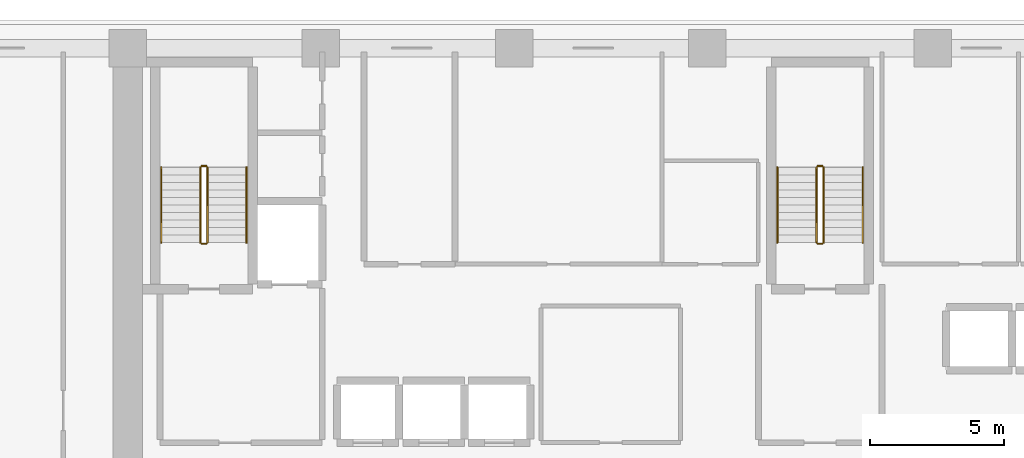
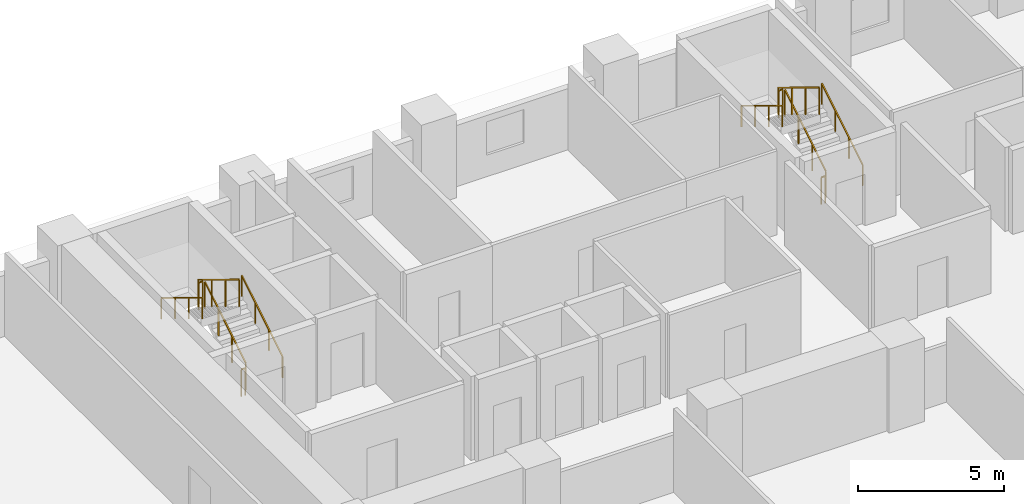
# One storey, part 13 of 15: 12 railings.
"""IFC4 building model written with IfcOpenShell, lengths in metres."""

from ifc_helpers import new_model, si_unit, direction, frame, origin, origin_2d, place, context, subcontext, project, spatial, rectangle, extrude, material, type_object, element, save


model = new_model("IFC4")

# Units and contexts
model_context = context("Model", 3, precision=1e-05, world=origin(), true_north=direction((0.0, 1.0)))
body_context = subcontext(model_context, "Body", "Model", "MODEL_VIEW")
ifc_project = project(units=[si_unit("LENGTHUNIT", "METRE"), si_unit("AREAUNIT", "SQUARE_METRE"), si_unit("VOLUMEUNIT", "CUBIC_METRE"), si_unit("PLANEANGLEUNIT", "RADIAN"), si_unit("MASSUNIT", "GRAM", prefix="KILO")], contexts=[model_context])

# Site, building, storey
site_placement = place(None, origin())
site = spatial("IfcSite", under=ifc_project, at=site_placement, CompositionType="ELEMENT")
building_placement = place(site_placement, origin())
building = spatial("IfcBuilding", under=site, at=building_placement, Name="Kaelvorn Grand Hotel", CompositionType="ELEMENT")
storey_placement = place(building_placement, frame((0.0, 0.0, 53.89990234375)))
storey = spatial("IfcBuildingStorey", under=building, at=storey_placement, Name="L11", CompositionType="ELEMENT", Elevation=53.89990234375)

# Railings
ifc_material = material(Name="Stainless Steel", Category="steel")
railing_type_1 = type_object("IfcRailingType", Name="RL-HANDRAIL-900", PredefinedType="HANDRAIL", material=ifc_material)
railing_1_placement = place(storey_placement, frame((20.6298828125, 41.760009765625, 0.170654296875)))
element("IfcRailing", 1, at=railing_1_placement, inside=storey, type_object=railing_type_1, Name="L11 ST1 stair handrail 1", PredefinedType="HANDRAIL", context=body_context, shape_type="SweptSolid", body=[
    extrude(rectangle(XDim=0.048095703125, YDim=0.048095703125, at=origin_2d()), frame((0.0, 0.0, 0.8759765625), z_axis=(0.0, 0.854202870247, 0.519939858505), x_axis=(-1.0, 0.0, 0.0)), (0.0, 0.0, 1.0), 3.278076171875),
    extrude(rectangle(XDim=0.0419921875, YDim=0.0419921875, at=origin_2d()), origin(), (0.0, 0.0, 1.0), 0.851806640625),
    extrude(rectangle(XDim=0.0419921875, YDim=0.0419921875, at=origin_2d()), frame((0.0, 0.933349609375, 0.568115234375)), (0.0, 0.0, 1.0), 0.851806640625),
    extrude(rectangle(XDim=0.0419921875, YDim=0.0419921875, at=origin_2d()), frame((0.0, 1.86669921875, 1.13623046875)), (0.0, 0.0, 1.0), 0.851806640625),
    extrude(rectangle(XDim=0.0419921875, YDim=0.0419921875, at=origin_2d()), frame((0.0, 2.800048828125, 1.704345703125)), (0.0, 0.0, 1.0), 0.851806640625),
])
railing_2_placement = place(storey_placement, frame((17.449951171875, 44.56005859375, 2.045654296875)))
element("IfcRailing", 2, at=railing_2_placement, inside=storey, type_object=railing_type_1, Name="L11 ST1 stair handrail 2", PredefinedType="HANDRAIL", context=body_context, shape_type="SweptSolid", body=[
    extrude(rectangle(XDim=0.048095703125, YDim=0.048095703125, at=origin_2d()), frame((0.0, 0.0, 0.8759765625), z_axis=(0.0, -0.854202870247, 0.519939858505), x_axis=(1.0, 0.0, 0.0)), (0.0, 0.0, 1.0), 3.278076171875),
    extrude(rectangle(XDim=0.0419921875, YDim=0.0419921875, at=origin_2d()), origin(), (0.0, 0.0, 1.0), 0.851806640625),
    extrude(rectangle(XDim=0.0419921875, YDim=0.0419921875, at=origin_2d()), frame((0.0, -0.933349609375, 0.568115234375)), (0.0, 0.0, 1.0), 0.851806640625),
    extrude(rectangle(XDim=0.0419921875, YDim=0.0419921875, at=origin_2d()), frame((0.0, -1.86669921875, 1.13623046875)), (0.0, 0.0, 1.0), 0.851806640625),
    extrude(rectangle(XDim=0.0419921875, YDim=0.0419921875, at=origin_2d()), frame((0.0, -2.800048828125, 1.704345703125)), (0.0, 0.0, 1.0), 0.851806640625),
])
railing_3_placement = place(storey_placement, frame((43.590087890625, 41.760009765625, 0.170654296875)))
element("IfcRailing", 3, at=railing_3_placement, inside=storey, type_object=railing_type_1, Name="L11 ST2 stair handrail 1", PredefinedType="HANDRAIL", context=body_context, shape_type="SweptSolid", body=[
    extrude(rectangle(XDim=0.048095703125, YDim=0.048095703125, at=origin_2d()), frame((0.0, 0.0, 0.8759765625), z_axis=(0.0, 0.854202870247, 0.519939858505), x_axis=(-1.0, 0.0, 0.0)), (0.0, 0.0, 1.0), 3.278076171875),
    extrude(rectangle(XDim=0.0419921875, YDim=0.0419921875, at=origin_2d()), origin(), (0.0, 0.0, 1.0), 0.851806640625),
    extrude(rectangle(XDim=0.0419921875, YDim=0.0419921875, at=origin_2d()), frame((0.0, 0.933349609375, 0.568115234375)), (0.0, 0.0, 1.0), 0.851806640625),
    extrude(rectangle(XDim=0.0419921875, YDim=0.0419921875, at=origin_2d()), frame((0.0, 1.86669921875, 1.13623046875)), (0.0, 0.0, 1.0), 0.851806640625),
    extrude(rectangle(XDim=0.0419921875, YDim=0.0419921875, at=origin_2d()), frame((0.0, 2.800048828125, 1.704345703125)), (0.0, 0.0, 1.0), 0.851806640625),
])
railing_4_placement = place(storey_placement, frame((40.409912109375, 44.56005859375, 2.045654296875)))
element("IfcRailing", 4, at=railing_4_placement, inside=storey, type_object=railing_type_1, Name="L11 ST2 stair handrail 2", PredefinedType="HANDRAIL", context=body_context, shape_type="SweptSolid", body=[
    extrude(rectangle(XDim=0.048095703125, YDim=0.048095703125, at=origin_2d()), frame((0.0, 0.0, 0.8759765625), z_axis=(0.0, -0.854202870247, 0.519939858505), x_axis=(1.0, 0.0, 0.0)), (0.0, 0.0, 1.0), 3.278076171875),
    extrude(rectangle(XDim=0.0419921875, YDim=0.0419921875, at=origin_2d()), origin(), (0.0, 0.0, 1.0), 0.851806640625),
    extrude(rectangle(XDim=0.0419921875, YDim=0.0419921875, at=origin_2d()), frame((0.0, -0.933349609375, 0.568115234375)), (0.0, 0.0, 1.0), 0.851806640625),
    extrude(rectangle(XDim=0.0419921875, YDim=0.0419921875, at=origin_2d()), frame((0.0, -1.86669921875, 1.13623046875)), (0.0, 0.0, 1.0), 0.851806640625),
    extrude(rectangle(XDim=0.0419921875, YDim=0.0419921875, at=origin_2d()), frame((0.0, -2.800048828125, 1.704345703125)), (0.0, 0.0, 1.0), 0.851806640625),
])
railing_type_2 = type_object("IfcRailingType", Name="RL-STAIR-GUARD-1150", PredefinedType="BALUSTRADE", material=ifc_material)
railing_5_placement = place(storey_placement, frame((19.169921875, 41.760009765625, 0.170654296875)))
element("IfcRailing", 5, at=railing_5_placement, inside=storey, type_object=railing_type_2, Name="L11 ST1 stair guard 1", PredefinedType="BALUSTRADE", context=body_context, shape_type="SweptSolid", body=[
    extrude(rectangle(XDim=0.048095703125, YDim=0.048095703125, at=origin_2d()), frame((0.0, 0.0, 1.1259765625), z_axis=(0.0, 0.854202870247, 0.519939858505), x_axis=(-1.0, 0.0, 0.0)), (0.0, 0.0, 1.0), 3.278076171875),
    extrude(rectangle(XDim=0.0419921875, YDim=0.0419921875, at=origin_2d()), origin(), (0.0, 0.0, 1.0), 1.101806640625),
    extrude(rectangle(XDim=0.0419921875, YDim=0.0419921875, at=origin_2d()), frame((0.0, 0.933349609375, 0.568115234375)), (0.0, 0.0, 1.0), 1.101806640625),
    extrude(rectangle(XDim=0.0419921875, YDim=0.0419921875, at=origin_2d()), frame((0.0, 1.86669921875, 1.13623046875)), (0.0, 0.0, 1.0), 1.101806640625),
    extrude(rectangle(XDim=0.0419921875, YDim=0.0419921875, at=origin_2d()), frame((0.0, 2.800048828125, 1.704345703125)), (0.0, 0.0, 1.0), 1.101806640625),
])
railing_6_placement = place(storey_placement, frame((19.1201171875, 44.610107421875, 1.875)))
element("IfcRailing", 6, at=railing_6_placement, inside=storey, type_object=railing_type_2, Name="L11 ST1 stair guard 2", PredefinedType="BALUSTRADE", context=body_context, shape_type="SweptSolid", body=[
    extrude(rectangle(XDim=0.048095703125, YDim=0.048095703125, at=origin_2d()), frame((0.0, 0.0, 1.1259765625), z_axis=(-1.0, 0.0, 0.0), x_axis=(0.0, -1.0, 0.0)), (0.0, 0.0, 1.0), 0.16015625),
    extrude(rectangle(XDim=0.0419921875, YDim=0.0419921875, at=origin_2d()), origin(), (0.0, 0.0, 1.0), 1.101806640625),
    extrude(rectangle(XDim=0.0419921875, YDim=0.0419921875, at=origin_2d()), frame((-0.16015625, 0.0, 0.0)), (0.0, 0.0, 1.0), 1.101806640625),
])
railing_7_placement = place(storey_placement, frame((18.909912109375, 44.56005859375, 2.045654296875)))
element("IfcRailing", 7, at=railing_7_placement, inside=storey, type_object=railing_type_2, Name="L11 ST1 stair guard 3", PredefinedType="BALUSTRADE", context=body_context, shape_type="SweptSolid", body=[
    extrude(rectangle(XDim=0.048095703125, YDim=0.048095703125, at=origin_2d()), frame((0.0, 0.0, 1.1259765625), z_axis=(0.0, -0.854202870247, 0.519939858505), x_axis=(1.0, 0.0, 0.0)), (0.0, 0.0, 1.0), 3.278076171875),
    extrude(rectangle(XDim=0.0419921875, YDim=0.0419921875, at=origin_2d()), origin(), (0.0, 0.0, 1.0), 1.101806640625),
    extrude(rectangle(XDim=0.0419921875, YDim=0.0419921875, at=origin_2d()), frame((0.0, -0.933349609375, 0.568115234375)), (0.0, 0.0, 1.0), 1.101806640625),
    extrude(rectangle(XDim=0.0419921875, YDim=0.0419921875, at=origin_2d()), frame((0.0, -1.86669921875, 1.13623046875)), (0.0, 0.0, 1.0), 1.101806640625),
    extrude(rectangle(XDim=0.0419921875, YDim=0.0419921875, at=origin_2d()), frame((0.0, -2.800048828125, 1.704345703125)), (0.0, 0.0, 1.0), 1.101806640625),
])
railing_8_placement = place(storey_placement, frame((19.1201171875, 41.7099609375, 0.0)))
element("IfcRailing", 8, at=railing_8_placement, inside=storey, type_object=railing_type_2, Name="L11 ST1 stair guard 4", PredefinedType="BALUSTRADE", context=body_context, shape_type="SweptSolid", body=[
    extrude(rectangle(XDim=0.048095703125, YDim=0.048095703125, at=origin_2d()), frame((0.0, 0.0, 1.1259765625), z_axis=(-1.0, 0.0, 0.0), x_axis=(0.0, -1.0, 0.0)), (0.0, 0.0, 1.0), 0.16015625),
    extrude(rectangle(XDim=0.0419921875, YDim=0.0419921875, at=origin_2d()), origin(), (0.0, 0.0, 1.0), 1.101806640625),
    extrude(rectangle(XDim=0.0419921875, YDim=0.0419921875, at=origin_2d()), frame((-0.16015625, 0.0, 0.0)), (0.0, 0.0, 1.0), 1.101806640625),
])
railing_9_placement = place(storey_placement, frame((42.1298828125, 41.760009765625, 0.170654296875)))
element("IfcRailing", 9, at=railing_9_placement, inside=storey, type_object=railing_type_2, Name="L11 ST2 stair guard 1", PredefinedType="BALUSTRADE", context=body_context, shape_type="SweptSolid", body=[
    extrude(rectangle(XDim=0.048095703125, YDim=0.048095703125, at=origin_2d()), frame((0.0, 0.0, 1.1259765625), z_axis=(0.0, 0.854202870247, 0.519939858505), x_axis=(-1.0, 0.0, 0.0)), (0.0, 0.0, 1.0), 3.278076171875),
    extrude(rectangle(XDim=0.0419921875, YDim=0.0419921875, at=origin_2d()), origin(), (0.0, 0.0, 1.0), 1.101806640625),
    extrude(rectangle(XDim=0.0419921875, YDim=0.0419921875, at=origin_2d()), frame((0.0, 0.933349609375, 0.568115234375)), (0.0, 0.0, 1.0), 1.101806640625),
    extrude(rectangle(XDim=0.0419921875, YDim=0.0419921875, at=origin_2d()), frame((0.0, 1.86669921875, 1.13623046875)), (0.0, 0.0, 1.0), 1.101806640625),
    extrude(rectangle(XDim=0.0419921875, YDim=0.0419921875, at=origin_2d()), frame((0.0, 2.800048828125, 1.704345703125)), (0.0, 0.0, 1.0), 1.101806640625),
])
railing_10_placement = place(storey_placement, frame((42.080078125, 44.610107421875, 1.875)))
element("IfcRailing", 10, at=railing_10_placement, inside=storey, type_object=railing_type_2, Name="L11 ST2 stair guard 2", PredefinedType="BALUSTRADE", context=body_context, shape_type="SweptSolid", body=[
    extrude(rectangle(XDim=0.048095703125, YDim=0.048095703125, at=origin_2d()), frame((0.0, 0.0, 1.1259765625), z_axis=(-1.0, 0.0, 0.0), x_axis=(0.0, -1.0, 0.0)), (0.0, 0.0, 1.0), 0.16015625),
    extrude(rectangle(XDim=0.0419921875, YDim=0.0419921875, at=origin_2d()), origin(), (0.0, 0.0, 1.0), 1.101806640625),
    extrude(rectangle(XDim=0.0419921875, YDim=0.0419921875, at=origin_2d()), frame((-0.16015625, 0.0, 0.0)), (0.0, 0.0, 1.0), 1.101806640625),
])
railing_11_placement = place(storey_placement, frame((41.8701171875, 44.56005859375, 2.045654296875)))
element("IfcRailing", 11, at=railing_11_placement, inside=storey, type_object=railing_type_2, Name="L11 ST2 stair guard 3", PredefinedType="BALUSTRADE", context=body_context, shape_type="SweptSolid", body=[
    extrude(rectangle(XDim=0.048095703125, YDim=0.048095703125, at=origin_2d()), frame((0.0, 0.0, 1.1259765625), z_axis=(0.0, -0.854202870247, 0.519939858505), x_axis=(1.0, 0.0, 0.0)), (0.0, 0.0, 1.0), 3.278076171875),
    extrude(rectangle(XDim=0.0419921875, YDim=0.0419921875, at=origin_2d()), origin(), (0.0, 0.0, 1.0), 1.101806640625),
    extrude(rectangle(XDim=0.0419921875, YDim=0.0419921875, at=origin_2d()), frame((0.0, -0.933349609375, 0.568115234375)), (0.0, 0.0, 1.0), 1.101806640625),
    extrude(rectangle(XDim=0.0419921875, YDim=0.0419921875, at=origin_2d()), frame((0.0, -1.86669921875, 1.13623046875)), (0.0, 0.0, 1.0), 1.101806640625),
    extrude(rectangle(XDim=0.0419921875, YDim=0.0419921875, at=origin_2d()), frame((0.0, -2.800048828125, 1.704345703125)), (0.0, 0.0, 1.0), 1.101806640625),
])
railing_12_placement = place(storey_placement, frame((42.080078125, 41.7099609375, 0.0)))
element("IfcRailing", 12, at=railing_12_placement, inside=storey, type_object=railing_type_2, Name="L11 ST2 stair guard 4", PredefinedType="BALUSTRADE", context=body_context, shape_type="SweptSolid", body=[
    extrude(rectangle(XDim=0.048095703125, YDim=0.048095703125, at=origin_2d()), frame((0.0, 0.0, 1.1259765625), z_axis=(-1.0, 0.0, 0.0), x_axis=(0.0, -1.0, 0.0)), (0.0, 0.0, 1.0), 0.16015625),
    extrude(rectangle(XDim=0.0419921875, YDim=0.0419921875, at=origin_2d()), origin(), (0.0, 0.0, 1.0), 1.101806640625),
    extrude(rectangle(XDim=0.0419921875, YDim=0.0419921875, at=origin_2d()), frame((-0.16015625, 0.0, 0.0)), (0.0, 0.0, 1.0), 1.101806640625),
])

save(model, "model.ifc")
